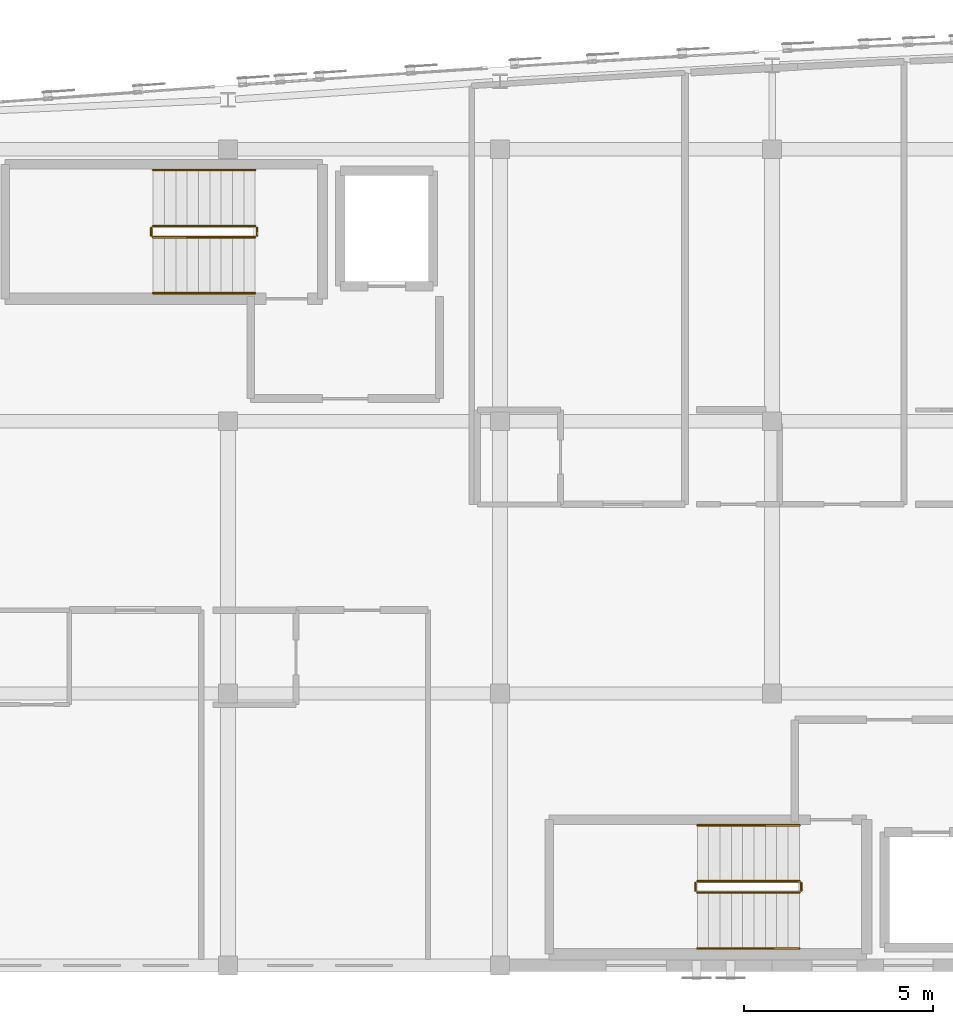
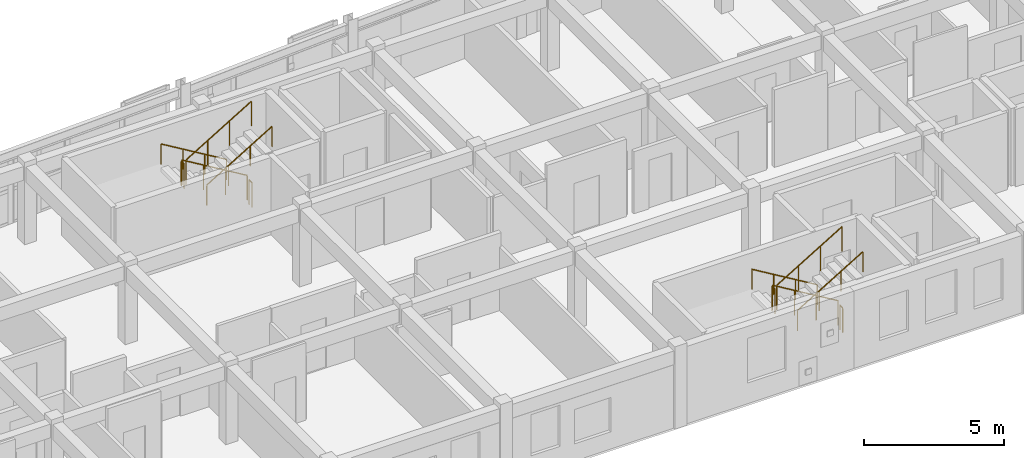
# One storey, part 33 of 34: 12 railings.
"""IFC4 building model written with IfcOpenShell, lengths in metres."""

from ifc_helpers import new_model, si_unit, direction, frame, origin, origin_2d, place, context, subcontext, project, spatial, circle, extrude, material, layer, layer_set, type_object, element, save


model = new_model("IFC4")

# Units and contexts
model_context = context("Model", 3, precision=1e-05, world=origin(), true_north=direction((0.0, 1.0)))
body_context = subcontext(model_context, "Body", "Model", "MODEL_VIEW")
ifc_project = project(units=[si_unit("LENGTHUNIT", "METRE"), si_unit("AREAUNIT", "SQUARE_METRE"), si_unit("VOLUMEUNIT", "CUBIC_METRE"), si_unit("PLANEANGLEUNIT", "RADIAN"), si_unit("MASSUNIT", "GRAM", prefix="KILO")], contexts=[model_context])

# Site, building, storey
site_placement = place(None, origin())
site = spatial("IfcSite", under=ifc_project, at=site_placement, CompositionType="ELEMENT")
building_placement = place(site_placement, origin())
building = spatial("IfcBuilding", under=site, at=building_placement, Name="Carrowvane Square Congress Hotel", CompositionType="ELEMENT")
storey_placement = place(building_placement, frame((0.0, 0.0, 40.800048828125)))
storey = spatial("IfcBuildingStorey", under=building, at=storey_placement, Name="L10", CompositionType="ELEMENT", Elevation=40.800048828125)

# Railings
ifc_material_1 = material(Name="Stainless steel 316", Category="steel")
ifc_layer_1 = layer(ifc_material_1, 0.048095703125)
ifc_layer_set_1 = layer_set([ifc_layer_1], Name="Stainless steel 316")
railing_type_1 = type_object("IfcRailingType", Name="RLG-HR-900", PredefinedType="HANDRAIL", material=ifc_layer_set_1)
railing_1_placement = place(storey_placement, frame((62.719970703125, 112.85009765625, 0.179931640625)))
element("IfcRailing", 1, at=railing_1_placement, inside=storey, type_object=railing_type_1, Name="L10 ST1 stair handrail 1", PredefinedType="HANDRAIL", context=body_context, shape_type="SweptSolid", body=[
    extrude(circle(Radius=0.02392578125, at=origin_2d()), frame((0.0, 0.0, 0.8759765625), z_axis=(-0.857472400752, 0.0, 0.514529962148), x_axis=(0.0, -1.0, 0.0)), (0.0, 0.0, 1.0), 3.148681640625),
    extrude(circle(Radius=0.02099609375, at=origin_2d()), origin(), (0.0, 0.0, 1.0), 0.851806640625),
    extrude(circle(Radius=0.02099609375, at=origin_2d()), frame((-0.89990234375, 0.0, 0.5400390625)), (0.0, 0.0, 1.0), 0.851806640625),
    extrude(circle(Radius=0.02099609375, at=origin_2d()), frame((-1.800048828125, 0.0, 1.080078125)), (0.0, 0.0, 1.0), 0.851806640625),
    extrude(circle(Radius=0.02099609375, at=origin_2d()), frame((-2.699951171875, 0.0, 1.6201171875)), (0.0, 0.0, 1.0), 0.851806640625),
])
railing_2_placement = place(storey_placement, frame((60.02001953125, 109.590087890625, 1.97998046875)))
element("IfcRailing", 2, at=railing_2_placement, inside=storey, type_object=railing_type_1, Name="L10 ST1 stair handrail 2", PredefinedType="HANDRAIL", context=body_context, shape_type="SweptSolid", body=[
    extrude(circle(Radius=0.02392578125, at=origin_2d()), frame((0.0, 0.0, 0.8759765625), z_axis=(0.857506608807, 0.0, 0.514472949583), x_axis=(0.0, 1.0, 0.0)), (0.0, 0.0, 1.0), 3.148681640625),
    extrude(circle(Radius=0.02099609375, at=origin_2d()), origin(), (0.0, 0.0, 1.0), 0.851806640625),
    extrude(circle(Radius=0.02099609375, at=origin_2d()), frame((0.89990234375, 0.0, 0.5400390625)), (0.0, 0.0, 1.0), 0.851806640625),
    extrude(circle(Radius=0.02099609375, at=origin_2d()), frame((1.800048828125, 0.0, 1.079833984375)), (0.0, 0.0, 1.0), 0.851806640625),
    extrude(circle(Radius=0.02099609375, at=origin_2d()), frame((2.699951171875, 0.0, 1.619873046875)), (0.0, 0.0, 1.0), 0.851806640625),
])
railing_3_placement = place(storey_placement, frame((77.1201171875, 95.510009765625, 0.179931640625)))
element("IfcRailing", 3, at=railing_3_placement, inside=storey, type_object=railing_type_1, Name="L10 ST2 stair handrail 1", PredefinedType="HANDRAIL", context=body_context, shape_type="SweptSolid", body=[
    extrude(circle(Radius=0.02392578125, at=origin_2d()), frame((0.0, 0.0, 0.8759765625), z_axis=(-0.857492925713, 0.0, 0.514495755428), x_axis=(0.0, -1.0, 0.0)), (0.0, 0.0, 1.0), 3.14892578125),
    extrude(circle(Radius=0.02099609375, at=origin_2d()), origin(), (0.0, 0.0, 1.0), 0.851806640625),
    extrude(circle(Radius=0.02099609375, at=origin_2d()), frame((-0.900146484375, 0.0, 0.5400390625)), (0.0, 0.0, 1.0), 0.851806640625),
    extrude(circle(Radius=0.02099609375, at=origin_2d()), frame((-1.800048828125, 0.0, 1.080078125)), (0.0, 0.0, 1.0), 0.851806640625),
    extrude(circle(Radius=0.02099609375, at=origin_2d()), frame((-2.7001953125, 0.0, 1.6201171875)), (0.0, 0.0, 1.0), 0.851806640625),
])
railing_4_placement = place(storey_placement, frame((74.419921875, 92.25, 1.97998046875)))
element("IfcRailing", 4, at=railing_4_placement, inside=storey, type_object=railing_type_1, Name="L10 ST2 stair handrail 2", PredefinedType="HANDRAIL", context=body_context, shape_type="SweptSolid", body=[
    extrude(circle(Radius=0.02392578125, at=origin_2d()), frame((0.0, 0.0, 0.8759765625), z_axis=(0.857527130037, 0.0, 0.514438743924), x_axis=(0.0, 1.0, 0.0)), (0.0, 0.0, 1.0), 3.14892578125),
    extrude(circle(Radius=0.02099609375, at=origin_2d()), origin(), (0.0, 0.0, 1.0), 0.851806640625),
    extrude(circle(Radius=0.02099609375, at=origin_2d()), frame((0.900146484375, 0.0, 0.5400390625)), (0.0, 0.0, 1.0), 0.851806640625),
    extrude(circle(Radius=0.02099609375, at=origin_2d()), frame((1.800048828125, 0.0, 1.079833984375)), (0.0, 0.0, 1.0), 0.851806640625),
    extrude(circle(Radius=0.02099609375, at=origin_2d()), frame((2.7001953125, 0.0, 1.619873046875)), (0.0, 0.0, 1.0), 0.851806640625),
])
ifc_material_2 = material(Name="Galvanised steel", Category="steel")
ifc_layer_2 = layer(ifc_material_2, 0.048095703125)
ifc_layer_set_2 = layer_set([ifc_layer_2], Name="Galvanised steel")
railing_type_2 = type_object("IfcRailingType", Name="RLG-STG-1100", PredefinedType="GUARDRAIL", material=ifc_layer_set_2)
railing_5_placement = place(storey_placement, frame((62.719970703125, 111.3701171875, 0.179931640625)))
element("IfcRailing", 5, at=railing_5_placement, inside=storey, type_object=railing_type_2, Name="L10 ST1 stair guard 1", PredefinedType="GUARDRAIL", context=body_context, shape_type="SweptSolid", body=[
    extrude(circle(Radius=0.02392578125, at=origin_2d()), frame((0.0, 0.0, 1.076171875), z_axis=(-0.857472400752, 0.0, 0.514529962148), x_axis=(0.0, -1.0, 0.0)), (0.0, 0.0, 1.0), 3.148681640625),
    extrude(circle(Radius=0.02099609375, at=origin_2d()), origin(), (0.0, 0.0, 1.0), 1.052001953125),
    extrude(circle(Radius=0.02099609375, at=origin_2d()), frame((-0.89990234375, 0.0, 0.5400390625)), (0.0, 0.0, 1.0), 1.052001953125),
    extrude(circle(Radius=0.02099609375, at=origin_2d()), frame((-1.800048828125, 0.0, 1.080078125)), (0.0, 0.0, 1.0), 1.052001953125),
    extrude(circle(Radius=0.02099609375, at=origin_2d()), frame((-2.699951171875, 0.0, 1.6201171875)), (0.0, 0.0, 1.0), 1.052001953125),
])
railing_6_placement = place(storey_placement, frame((59.969970703125, 111.320068359375, 1.800048828125)))
element("IfcRailing", 6, at=railing_6_placement, inside=storey, type_object=railing_type_2, Name="L10 ST1 stair guard 2", PredefinedType="GUARDRAIL", context=body_context, shape_type="SweptSolid", body=[
    extrude(circle(Radius=0.02392578125, at=origin_2d()), frame((0.0, 0.0, 1.076171875), z_axis=(0.0, -1.0, 0.0), x_axis=(1.0, 0.0, 0.0)), (0.0, 0.0, 1.0), 0.199951171875),
    extrude(circle(Radius=0.02099609375, at=origin_2d()), origin(), (0.0, 0.0, 1.0), 1.052001953125),
    extrude(circle(Radius=0.02099609375, at=origin_2d()), frame((0.0, -0.199951171875, 0.0)), (0.0, 0.0, 1.0), 1.052001953125),
])
railing_7_placement = place(storey_placement, frame((60.02001953125, 111.070068359375, 1.97998046875)))
element("IfcRailing", 7, at=railing_7_placement, inside=storey, type_object=railing_type_2, Name="L10 ST1 stair guard 3", PredefinedType="GUARDRAIL", context=body_context, shape_type="SweptSolid", body=[
    extrude(circle(Radius=0.02392578125, at=origin_2d()), frame((0.0, 0.0, 1.076171875), z_axis=(0.857506608807, 0.0, 0.514472949583), x_axis=(0.0, 1.0, 0.0)), (0.0, 0.0, 1.0), 3.148681640625),
    extrude(circle(Radius=0.02099609375, at=origin_2d()), origin(), (0.0, 0.0, 1.0), 1.052001953125),
    extrude(circle(Radius=0.02099609375, at=origin_2d()), frame((0.89990234375, 0.0, 0.5400390625)), (0.0, 0.0, 1.0), 1.052001953125),
    extrude(circle(Radius=0.02099609375, at=origin_2d()), frame((1.800048828125, 0.0, 1.079833984375)), (0.0, 0.0, 1.0), 1.052001953125),
    extrude(circle(Radius=0.02099609375, at=origin_2d()), frame((2.699951171875, 0.0, 1.619873046875)), (0.0, 0.0, 1.0), 1.052001953125),
])
railing_8_placement = place(storey_placement, frame((62.77001953125, 111.320068359375, 0.0)))
element("IfcRailing", 8, at=railing_8_placement, inside=storey, type_object=railing_type_2, Name="L10 ST1 stair guard 4", PredefinedType="GUARDRAIL", context=body_context, shape_type="SweptSolid", body=[
    extrude(circle(Radius=0.02392578125, at=origin_2d()), frame((0.0, 0.0, 1.076171875), z_axis=(0.0, -1.0, 0.0), x_axis=(1.0, 0.0, 0.0)), (0.0, 0.0, 1.0), 0.199951171875),
    extrude(circle(Radius=0.02099609375, at=origin_2d()), origin(), (0.0, 0.0, 1.0), 1.052001953125),
    extrude(circle(Radius=0.02099609375, at=origin_2d()), frame((0.0, -0.199951171875, 0.0)), (0.0, 0.0, 1.0), 1.052001953125),
])
railing_9_placement = place(storey_placement, frame((77.1201171875, 94.030029296875, 0.179931640625)))
element("IfcRailing", 9, at=railing_9_placement, inside=storey, type_object=railing_type_2, Name="L10 ST2 stair guard 1", PredefinedType="GUARDRAIL", context=body_context, shape_type="SweptSolid", body=[
    extrude(circle(Radius=0.02392578125, at=origin_2d()), frame((0.0, 0.0, 1.076171875), z_axis=(-0.857492925713, 0.0, 0.514495755428), x_axis=(0.0, -1.0, 0.0)), (0.0, 0.0, 1.0), 3.14892578125),
    extrude(circle(Radius=0.02099609375, at=origin_2d()), origin(), (0.0, 0.0, 1.0), 1.052001953125),
    extrude(circle(Radius=0.02099609375, at=origin_2d()), frame((-0.900146484375, 0.0, 0.5400390625)), (0.0, 0.0, 1.0), 1.052001953125),
    extrude(circle(Radius=0.02099609375, at=origin_2d()), frame((-1.800048828125, 0.0, 1.080078125)), (0.0, 0.0, 1.0), 1.052001953125),
    extrude(circle(Radius=0.02099609375, at=origin_2d()), frame((-2.7001953125, 0.0, 1.6201171875)), (0.0, 0.0, 1.0), 1.052001953125),
])
railing_10_placement = place(storey_placement, frame((74.3701171875, 93.97998046875, 1.800048828125)))
element("IfcRailing", 10, at=railing_10_placement, inside=storey, type_object=railing_type_2, Name="L10 ST2 stair guard 2", PredefinedType="GUARDRAIL", context=body_context, shape_type="SweptSolid", body=[
    extrude(circle(Radius=0.02392578125, at=origin_2d()), frame((0.0, 0.0, 1.076171875), z_axis=(0.0, -1.0, 0.0), x_axis=(1.0, 0.0, 0.0)), (0.0, 0.0, 1.0), 0.199951171875),
    extrude(circle(Radius=0.02099609375, at=origin_2d()), origin(), (0.0, 0.0, 1.0), 1.052001953125),
    extrude(circle(Radius=0.02099609375, at=origin_2d()), frame((0.0, -0.199951171875, 0.0)), (0.0, 0.0, 1.0), 1.052001953125),
])
railing_11_placement = place(storey_placement, frame((74.419921875, 93.72998046875, 1.97998046875)))
element("IfcRailing", 11, at=railing_11_placement, inside=storey, type_object=railing_type_2, Name="L10 ST2 stair guard 3", PredefinedType="GUARDRAIL", context=body_context, shape_type="SweptSolid", body=[
    extrude(circle(Radius=0.02392578125, at=origin_2d()), frame((0.0, 0.0, 1.076171875), z_axis=(0.857527130037, 0.0, 0.514438743924), x_axis=(0.0, 1.0, 0.0)), (0.0, 0.0, 1.0), 3.14892578125),
    extrude(circle(Radius=0.02099609375, at=origin_2d()), origin(), (0.0, 0.0, 1.0), 1.052001953125),
    extrude(circle(Radius=0.02099609375, at=origin_2d()), frame((0.900146484375, 0.0, 0.5400390625)), (0.0, 0.0, 1.0), 1.052001953125),
    extrude(circle(Radius=0.02099609375, at=origin_2d()), frame((1.800048828125, 0.0, 1.079833984375)), (0.0, 0.0, 1.0), 1.052001953125),
    extrude(circle(Radius=0.02099609375, at=origin_2d()), frame((2.7001953125, 0.0, 1.619873046875)), (0.0, 0.0, 1.0), 1.052001953125),
])
railing_12_placement = place(storey_placement, frame((77.169921875, 93.97998046875, 0.0)))
element("IfcRailing", 12, at=railing_12_placement, inside=storey, type_object=railing_type_2, Name="L10 ST2 stair guard 4", PredefinedType="GUARDRAIL", context=body_context, shape_type="SweptSolid", body=[
    extrude(circle(Radius=0.02392578125, at=origin_2d()), frame((0.0, 0.0, 1.076171875), z_axis=(0.0, -1.0, 0.0), x_axis=(1.0, 0.0, 0.0)), (0.0, 0.0, 1.0), 0.199951171875),
    extrude(circle(Radius=0.02099609375, at=origin_2d()), origin(), (0.0, 0.0, 1.0), 1.052001953125),
    extrude(circle(Radius=0.02099609375, at=origin_2d()), frame((0.0, -0.199951171875, 0.0)), (0.0, 0.0, 1.0), 1.052001953125),
])

save(model, "model.ifc")
